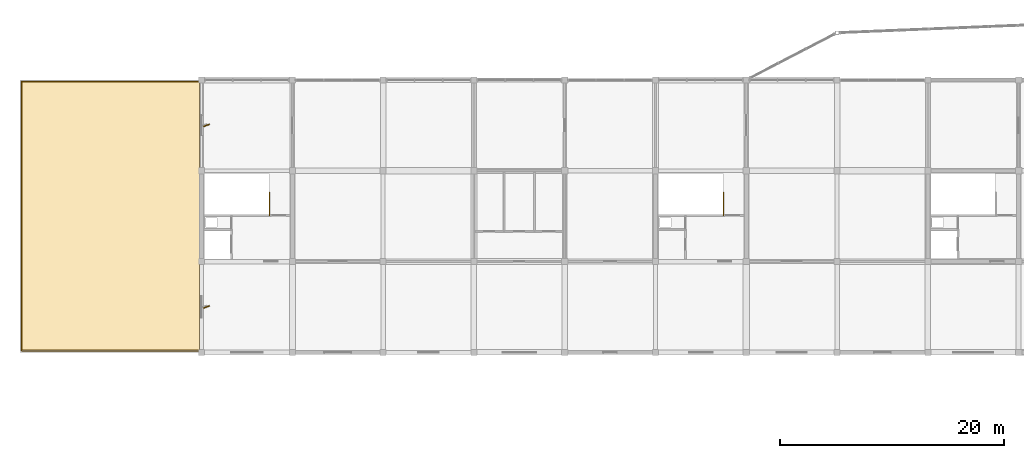
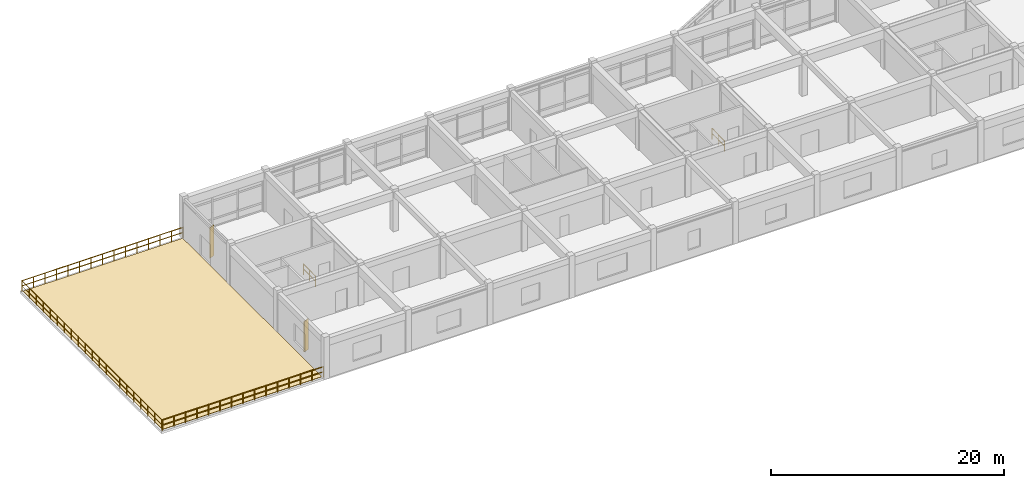
# One storey, part 37 of 40: 5 railings, 2 shading devices, 1 covering.
"""IFC4 building model written with IfcOpenShell, lengths in metres."""

import ifcopenshell
import ifcopenshell.guid

model = None  # the IFC model being written
_history = None  # IfcOwnerHistory: only IFC2X3 demands one
_inside = {}  # id of a spatial element -> (the spatial element, [elements in it])
_under = {}  # id of a project, library or spatial element -> (it, [spatial elements below it])
_declared = {}  # id of a project -> (the project, [libraries it declares])
_typed = {}  # id of a type object -> (the type object, [elements of that type])
_made_of = {}  # id of a material, layer set ... -> (it, [elements and type objects made of it])


def new_model(schema):
    """Start an empty IFC model of exactly this schema.

    Asked for "IFC4X3", IfcOpenShell would pick the latest addendum, in which some entities
    have other attributes; the version numbers below select the first issue.
    IFC2X3 requires an IfcOwnerHistory on every rooted entity: one is made here for all.
    """
    global model, _history
    if schema == "IFC4X3":
        model = ifcopenshell.file(schema_version=(4, 3, 0, 0))
    else:
        model = ifcopenshell.file(schema=schema)
    _inside.clear()
    _under.clear()
    _declared.clear()
    _typed.clear()
    _made_of.clear()
    _history = None
    if model.schema == "IFC2X3":
        org = make("IfcOrganization", Name="unknown")
        user = make(
            "IfcPersonAndOrganization",
            ThePerson=make("IfcPerson", FamilyName="unknown"),
            TheOrganization=org,
        )
        app = make(
            "IfcApplication",
            ApplicationDeveloper=org,
            Version="unknown",
            ApplicationFullName="unknown",
            ApplicationIdentifier="unknown",
        )
        _history = make(
            "IfcOwnerHistory",
            OwningUser=user,
            OwningApplication=app,
            ChangeAction="ADDED",
            CreationDate=0,
        )
    return model


def make(cls, **values):
    """One entity of the class cls with the attributes given. An attribute that is None is left unset."""
    return model.create_entity(
        cls, **{name: value for name, value in values.items() if value is not None}
    )


def rooted(cls, **values):
    """An entity with a GlobalId (a new one), such as an element, a storey or a relation."""
    return make(cls, GlobalId=ifcopenshell.guid.new(), OwnerHistory=_history, **values)


def si_unit(unit_type, name, prefix=None):
    """IfcSIUnit, for example si_unit("LENGTHUNIT", "METRE", prefix="MILLI")."""
    return make("IfcSIUnit", UnitType=unit_type, Prefix=prefix, Name=name)


def assignment(units):
    """IfcUnitAssignment: the units of a project."""
    return None if units is None else make("IfcUnitAssignment", Units=units)


def point(xyz):
    """IfcCartesianPoint."""
    return None if xyz is None else make("IfcCartesianPoint", Coordinates=xyz)


def direction(xyz):
    """IfcDirection."""
    return None if xyz is None else make("IfcDirection", DirectionRatios=xyz)


def frame(location, z_axis=None, x_axis=None):
    """IfcAxis2Placement3D, a coordinate frame: its origin and axes. An axis left out is left unset."""
    return make(
        "IfcAxis2Placement3D",
        Location=point(location),
        Axis=direction(z_axis),
        RefDirection=direction(x_axis),
    )


def frame_2d(location, x_axis=None):
    """IfcAxis2Placement2D, a coordinate frame in the plane: its origin and x axis."""
    return make(
        "IfcAxis2Placement2D", Location=point(location), RefDirection=direction(x_axis)
    )


def origin():
    """The frame at (0, 0, 0) with its axes left unset."""
    return frame((0.0, 0.0, 0.0))


def origin_2d():
    """The frame at (0, 0) in the plane with its x axis left unset."""
    return frame_2d((0.0, 0.0))


def place(relative_to, where):
    """IfcLocalPlacement: puts the frame where relative to a parent placement (None: the world)."""
    return make(
        "IfcLocalPlacement", PlacementRelTo=relative_to, RelativePlacement=where
    )


def context(
    kind, dimensions, precision=None, world=None, true_north=None, identifier=None
):
    """IfcGeometricRepresentationContext, for example the 3D "Model" context."""
    return make(
        "IfcGeometricRepresentationContext",
        ContextIdentifier=identifier,
        ContextType=kind,
        CoordinateSpaceDimension=dimensions,
        Precision=precision,
        WorldCoordinateSystem=world,
        TrueNorth=true_north,
    )


def subcontext(parent, identifier, kind, view, scale=None):
    """IfcGeometricRepresentationSubContext, for example "Body" below "Model"."""
    return make(
        "IfcGeometricRepresentationSubContext",
        ContextIdentifier=identifier,
        ContextType=kind,
        ParentContext=parent,
        TargetScale=scale,
        TargetView=view,
    )


def project(units=None, contexts=None):
    """IfcProject with its units and contexts."""
    return rooted(
        "IfcProject",
        Name="project",
        RepresentationContexts=contexts,
        UnitsInContext=assignment(units),
    )


def spatial(cls, under=None, at=None, **own):
    """A site, building, storey or space (cls), placed at a placement, below another one or the project."""
    s = rooted(cls, ObjectPlacement=at, **own)
    if under is not None:
        _under.setdefault(under.id(), (under, []))[1].append(s)
    return s


def polyline(points):
    """IfcPolyline through the points."""
    return make("IfcPolyline", Points=[point(p) for p in points])


def profile(cls, at=None, kind="AREA", **sizes):
    """A parametric profile (cls). Its sizes go by their IFC names, for example OverallWidth=200.0."""
    return make(cls, ProfileType=kind, Position=at, **sizes)


def rectangle(**sizes):
    """IfcRectangleProfileDef."""
    return profile("IfcRectangleProfileDef", **sizes)


def circle(**sizes):
    """IfcCircleProfileDef."""
    return profile("IfcCircleProfileDef", **sizes)


def outline(outer, holes=None, kind="AREA"):
    """IfcArbitraryClosedProfileDef: a profile drawn as a closed curve; with holes, ...WithVoids."""
    if holes is None:
        return make("IfcArbitraryClosedProfileDef", ProfileType=kind, OuterCurve=outer)
    return make(
        "IfcArbitraryProfileDefWithVoids",
        ProfileType=kind,
        OuterCurve=outer,
        InnerCurves=holes,
    )


def extrude(swept, where, along, depth):
    """IfcExtrudedAreaSolid: the profile swept, set in the frame where, extruded along a direction by depth."""
    return make(
        "IfcExtrudedAreaSolid",
        SweptArea=swept,
        Position=where,
        ExtrudedDirection=direction(along),
        Depth=depth,
    )


def shape(context_of_items, identifier, shape_type, items):
    """IfcShapeRepresentation: the items that make up one representation, for example the "Body"."""
    return make(
        "IfcShapeRepresentation",
        ContextOfItems=context_of_items,
        RepresentationIdentifier=identifier,
        RepresentationType=shape_type,
        Items=items,
    )


def material(Name=None, Category=None):
    """IfcMaterial."""
    return make("IfcMaterial", Name=Name, Category=Category)


def layer(
    of_material, thickness, ventilated=None, Name=None, Category=None, Priority=None
):
    """IfcMaterialLayer: one layer of a wall or slab, of a material (None: an air gap)."""
    return make(
        "IfcMaterialLayer",
        Material=of_material,
        LayerThickness=thickness,
        IsVentilated=ventilated,
        Name=Name,
        Category=Category,
        Priority=Priority,
    )


def layer_set(layers, Name=None):
    """IfcMaterialLayerSet."""
    return make("IfcMaterialLayerSet", MaterialLayers=layers, LayerSetName=Name)


def made_of(thing, what):
    """Note that an element or type object is made of a material, layer set ...; save() writes the relation."""
    if what is not None:
        _made_of.setdefault(what.id(), (what, []))[1].append(thing)
    return thing


def type_object(cls, material=None, **own):
    """A type object (cls), such as IfcWallType, which elements share."""
    return made_of(rooted(cls, **own), material)


def element(
    cls,
    number,
    at=None,
    inside=None,
    cuts=None,
    type_object=None,
    material=None,
    context=None,
    identifier="Body",
    shape_type=None,
    held_by="IfcProductDefinitionShape",
    body=None,
    shapes=None,
    **own,
):
    """One element of the class cls, such as IfcWall. Its Tag is "e" and its number.

    at: its placement. inside: the storey or other place that contains it. cuts: it is an
    opening in that element (IfcRelVoidsElement). A single representation is given by context,
    identifier, shape_type and body (its items); several are given by shapes. held_by: the class
    of the entity that holds the representations. save() writes the other relations.
    """
    e = rooted(cls, Tag="e%d" % number, ObjectPlacement=at, **own)
    if body is not None:
        shapes = [shape(context, identifier, shape_type, body)]
    if shapes is not None:
        e.Representation = make(held_by, Representations=shapes)
    if inside is not None:
        _inside.setdefault(inside.id(), (inside, []))[1].append(e)
    if cuts is not None:
        rooted(
            "IfcRelVoidsElement", RelatingBuildingElement=cuts, RelatedOpeningElement=e
        )
    if type_object is not None:
        _typed.setdefault(type_object.id(), (type_object, []))[1].append(e)
    return made_of(e, material)


def aggregate(whole, parts):
    """IfcRelAggregates: a whole, such as a stair, and the parts it consists of."""
    return rooted("IfcRelAggregates", RelatingObject=whole, RelatedObjects=parts)


def save(model, path):
    """Write the relations noted so far, then the file.

    IfcRelAggregates (storeys below a building ...), IfcRelContainedInSpatialStructure (elements
    in a storey), IfcRelDefinesByType, IfcRelAssociatesMaterial and IfcRelDeclares: one each for
    every whole, place, type object, material and project.
    """
    for whole, parts in _under.values():
        aggregate(whole, parts)
    for where, things in _inside.values():
        rooted(
            "IfcRelContainedInSpatialStructure",
            RelatedElements=things,
            RelatingStructure=where,
        )
    for kind, things in _typed.values():
        rooted("IfcRelDefinesByType", RelatedObjects=things, RelatingType=kind)
    for what, things in _made_of.values():
        rooted("IfcRelAssociatesMaterial", RelatedObjects=things, RelatingMaterial=what)
    for by, libraries in _declared.values():
        rooted("IfcRelDeclares", RelatingContext=by, RelatedDefinitions=libraries)
    model.write(path)


model = new_model("IFC4")

# Units and contexts
model_context = context("Model", 3, precision=1e-05, world=origin(), true_north=direction((0.0, 1.0)))
body_context = subcontext(model_context, "Body", "Model", "MODEL_VIEW")
ifc_project = project(units=[si_unit("LENGTHUNIT", "METRE"), si_unit("AREAUNIT", "SQUARE_METRE"), si_unit("VOLUMEUNIT", "CUBIC_METRE"), si_unit("PLANEANGLEUNIT", "RADIAN"), si_unit("MASSUNIT", "GRAM", prefix="KILO")], contexts=[model_context])

# Site, building, storey
site_placement = place(None, origin())
site = spatial("IfcSite", under=ifc_project, at=site_placement, CompositionType="ELEMENT")
building_placement = place(site_placement, origin())
building = spatial("IfcBuilding", under=site, at=building_placement, Name="Vaudrelin Polytechnic", CompositionType="ELEMENT")
storey_placement = place(building_placement, frame((0.0, 0.0, 22.949951171875)))
storey = spatial("IfcBuildingStorey", under=building, at=storey_placement, Name="L05", CompositionType="ELEMENT", Elevation=22.949951171875)

# Railings
ifc_material_1 = material(Name="Stainless steel AISI 316L", Category="steel")
railing_type_1 = type_object("IfcRailingType", Name="ENV-GR-TER", PredefinedType="GUARDRAIL", material=ifc_material_1)
railing_1_placement = place(storey_placement, frame((0.1201171875, 121.3798828125, 0.0)))
element("IfcRailing", 1, at=railing_1_placement, inside=storey, type_object=railing_type_1, Name="Terrace guardrail GRD-T5-N", PredefinedType="GUARDRAIL", context=body_context, shape_type="SweptSolid", body=[
    extrude(circle(Radius=0.02392578125, at=origin_2d()), frame((0.023193359375, 0.0, 1.09619140625), z_axis=(1.0, 0.0, 0.0), x_axis=(0.0, 1.0, 0.0)), (0.0, 0.0, 1.0), 15.913818359375),
    extrude(circle(Radius=0.02392578125, at=origin_2d()), frame((0.023193359375, 0.0, 0.56005859375), z_axis=(1.0, 0.0, 0.0), x_axis=(0.0, 1.0, 0.0)), (0.0, 0.0, 1.0), 15.913818359375),
    extrude(circle(Radius=0.02099609375, at=origin_2d()), origin(), (0.0, 0.0, 1.0), 1.1201171875),
    extrude(circle(Radius=0.02099609375, at=origin_2d()), frame((1.139892578125, 0.0, 0.0)), (0.0, 0.0, 1.0), 1.1201171875),
    extrude(circle(Radius=0.02099609375, at=origin_2d()), frame((2.280029296875, 0.0, 0.0)), (0.0, 0.0, 1.0), 1.1201171875),
    extrude(circle(Radius=0.02099609375, at=origin_2d()), frame((3.419921875, 0.0, 0.0)), (0.0, 0.0, 1.0), 1.1201171875),
    extrude(circle(Radius=0.02099609375, at=origin_2d()), frame((4.56005859375, 0.0, 0.0)), (0.0, 0.0, 1.0), 1.1201171875),
    extrude(circle(Radius=0.02099609375, at=origin_2d()), frame((5.699951171875, 0.0, 0.0)), (0.0, 0.0, 1.0), 1.1201171875),
    extrude(circle(Radius=0.02099609375, at=origin_2d()), frame((6.840087890625, 0.0, 0.0)), (0.0, 0.0, 1.0), 1.1201171875),
    extrude(circle(Radius=0.02099609375, at=origin_2d()), frame((7.97998046875, 0.0, 0.0)), (0.0, 0.0, 1.0), 1.1201171875),
    extrude(circle(Radius=0.02099609375, at=origin_2d()), frame((9.119873046875, 0.0, 0.0)), (0.0, 0.0, 1.0), 1.1201171875),
    extrude(circle(Radius=0.02099609375, at=origin_2d()), frame((10.260009765625, 0.0, 0.0)), (0.0, 0.0, 1.0), 1.1201171875),
    extrude(circle(Radius=0.02099609375, at=origin_2d()), frame((11.39990234375, 0.0, 0.0)), (0.0, 0.0, 1.0), 1.1201171875),
    extrude(circle(Radius=0.02099609375, at=origin_2d()), frame((12.5400390625, 0.0, 0.0)), (0.0, 0.0, 1.0), 1.1201171875),
    extrude(circle(Radius=0.02099609375, at=origin_2d()), frame((13.679931640625, 0.0, 0.0)), (0.0, 0.0, 1.0), 1.1201171875),
    extrude(circle(Radius=0.02099609375, at=origin_2d()), frame((14.820068359375, 0.0, 0.0)), (0.0, 0.0, 1.0), 1.1201171875),
    extrude(circle(Radius=0.02099609375, at=origin_2d()), frame((15.9599609375, 0.0, 0.0)), (0.0, 0.0, 1.0), 1.1201171875),
])
railing_2_placement = place(storey_placement, frame((0.1201171875, 97.360107421875, 0.0)))
element("IfcRailing", 2, at=railing_2_placement, inside=storey, type_object=railing_type_1, Name="Terrace guardrail GRD-T5-W", PredefinedType="GUARDRAIL", context=body_context, shape_type="SweptSolid", body=[
    extrude(circle(Radius=0.02392578125, at=origin_2d()), frame((0.0, 0.023193359375, 1.09619140625), z_axis=(0.0, 1.0, 0.0), x_axis=(-1.0, 0.0, 0.0)), (0.0, 0.0, 1.0), 23.933837890625),
    extrude(circle(Radius=0.02392578125, at=origin_2d()), frame((0.0, 0.023193359375, 0.56005859375), z_axis=(0.0, 1.0, 0.0), x_axis=(-1.0, 0.0, 0.0)), (0.0, 0.0, 1.0), 23.933837890625),
    extrude(circle(Radius=0.02099609375, at=origin_2d()), origin(), (0.0, 0.0, 1.0), 1.1201171875),
    extrude(circle(Radius=0.02099609375, at=origin_2d()), frame((0.0, 1.198974609375, 0.0)), (0.0, 0.0, 1.0), 1.1201171875),
    extrude(circle(Radius=0.02099609375, at=origin_2d()), frame((0.0, 2.39794921875, 0.0)), (0.0, 0.0, 1.0), 1.1201171875),
    extrude(circle(Radius=0.02099609375, at=origin_2d()), frame((0.0, 3.596923828125, 0.0)), (0.0, 0.0, 1.0), 1.1201171875),
    extrude(circle(Radius=0.02099609375, at=origin_2d()), frame((0.0, 4.7958984375, 0.0)), (0.0, 0.0, 1.0), 1.1201171875),
    extrude(circle(Radius=0.02099609375, at=origin_2d()), frame((0.0, 5.9951171875, 0.0)), (0.0, 0.0, 1.0), 1.1201171875),
    extrude(circle(Radius=0.02099609375, at=origin_2d()), frame((0.0, 7.194091796875, 0.0)), (0.0, 0.0, 1.0), 1.1201171875),
    extrude(circle(Radius=0.02099609375, at=origin_2d()), frame((0.0, 8.39306640625, 0.0)), (0.0, 0.0, 1.0), 1.1201171875),
    extrude(circle(Radius=0.02099609375, at=origin_2d()), frame((0.0, 9.592041015625, 0.0)), (0.0, 0.0, 1.0), 1.1201171875),
    extrude(circle(Radius=0.02099609375, at=origin_2d()), frame((0.0, 10.791015625, 0.0)), (0.0, 0.0, 1.0), 1.1201171875),
    extrude(circle(Radius=0.02099609375, at=origin_2d()), frame((0.0, 11.989990234375, 0.0)), (0.0, 0.0, 1.0), 1.1201171875),
    extrude(circle(Radius=0.02099609375, at=origin_2d()), frame((0.0, 13.18896484375, 0.0)), (0.0, 0.0, 1.0), 1.1201171875),
    extrude(circle(Radius=0.02099609375, at=origin_2d()), frame((0.0, 14.387939453125, 0.0)), (0.0, 0.0, 1.0), 1.1201171875),
    extrude(circle(Radius=0.02099609375, at=origin_2d()), frame((0.0, 15.5869140625, 0.0)), (0.0, 0.0, 1.0), 1.1201171875),
    extrude(circle(Radius=0.02099609375, at=origin_2d()), frame((0.0, 16.785888671875, 0.0)), (0.0, 0.0, 1.0), 1.1201171875),
    extrude(circle(Radius=0.02099609375, at=origin_2d()), frame((0.0, 17.98486328125, 0.0)), (0.0, 0.0, 1.0), 1.1201171875),
    extrude(circle(Radius=0.02099609375, at=origin_2d()), frame((0.0, 19.18408203125, 0.0)), (0.0, 0.0, 1.0), 1.1201171875),
    extrude(circle(Radius=0.02099609375, at=origin_2d()), frame((0.0, 20.383056640625, 0.0)), (0.0, 0.0, 1.0), 1.1201171875),
    extrude(circle(Radius=0.02099609375, at=origin_2d()), frame((0.0, 21.58203125, 0.0)), (0.0, 0.0, 1.0), 1.1201171875),
    extrude(circle(Radius=0.02099609375, at=origin_2d()), frame((0.0, 22.781005859375, 0.0)), (0.0, 0.0, 1.0), 1.1201171875),
    extrude(circle(Radius=0.02099609375, at=origin_2d()), frame((0.0, 23.97998046875, 0.0)), (0.0, 0.0, 1.0), 1.1201171875),
])
railing_3_placement = place(storey_placement, frame((0.159912109375, 97.320068359375, 0.0)))
element("IfcRailing", 3, at=railing_3_placement, inside=storey, type_object=railing_type_1, Name="Terrace guardrail GRD-T5-S", PredefinedType="GUARDRAIL", context=body_context, shape_type="SweptSolid", body=[
    extrude(circle(Radius=0.02392578125, at=origin_2d()), frame((0.023193359375, 0.0, 1.09619140625), z_axis=(1.0, 0.0, 0.0), x_axis=(0.0, 1.0, 0.0)), (0.0, 0.0, 1.0), 15.8740234375),
    extrude(circle(Radius=0.02392578125, at=origin_2d()), frame((0.023193359375, 0.0, 0.56005859375), z_axis=(1.0, 0.0, 0.0), x_axis=(0.0, 1.0, 0.0)), (0.0, 0.0, 1.0), 15.8740234375),
    extrude(circle(Radius=0.02099609375, at=origin_2d()), origin(), (0.0, 0.0, 1.0), 1.1201171875),
    extrude(circle(Radius=0.02099609375, at=origin_2d()), frame((1.13720703125, 0.0, 0.0)), (0.0, 0.0, 1.0), 1.1201171875),
    extrude(circle(Radius=0.02099609375, at=origin_2d()), frame((2.2744140625, 0.0, 0.0)), (0.0, 0.0, 1.0), 1.1201171875),
    extrude(circle(Radius=0.02099609375, at=origin_2d()), frame((3.411376953125, 0.0, 0.0)), (0.0, 0.0, 1.0), 1.1201171875),
    extrude(circle(Radius=0.02099609375, at=origin_2d()), frame((4.548583984375, 0.0, 0.0)), (0.0, 0.0, 1.0), 1.1201171875),
    extrude(circle(Radius=0.02099609375, at=origin_2d()), frame((5.685791015625, 0.0, 0.0)), (0.0, 0.0, 1.0), 1.1201171875),
    extrude(circle(Radius=0.02099609375, at=origin_2d()), frame((6.822998046875, 0.0, 0.0)), (0.0, 0.0, 1.0), 1.1201171875),
    extrude(circle(Radius=0.02099609375, at=origin_2d()), frame((7.9599609375, 0.0, 0.0)), (0.0, 0.0, 1.0), 1.1201171875),
    extrude(circle(Radius=0.02099609375, at=origin_2d()), frame((9.09716796875, 0.0, 0.0)), (0.0, 0.0, 1.0), 1.1201171875),
    extrude(circle(Radius=0.02099609375, at=origin_2d()), frame((10.234375, 0.0, 0.0)), (0.0, 0.0, 1.0), 1.1201171875),
    extrude(circle(Radius=0.02099609375, at=origin_2d()), frame((11.37158203125, 0.0, 0.0)), (0.0, 0.0, 1.0), 1.1201171875),
    extrude(circle(Radius=0.02099609375, at=origin_2d()), frame((12.5087890625, 0.0, 0.0)), (0.0, 0.0, 1.0), 1.1201171875),
    extrude(circle(Radius=0.02099609375, at=origin_2d()), frame((13.645751953125, 0.0, 0.0)), (0.0, 0.0, 1.0), 1.1201171875),
    extrude(circle(Radius=0.02099609375, at=origin_2d()), frame((14.782958984375, 0.0, 0.0)), (0.0, 0.0, 1.0), 1.1201171875),
    extrude(circle(Radius=0.02099609375, at=origin_2d()), frame((15.920166015625, 0.0, 0.0)), (0.0, 0.0, 1.0), 1.1201171875),
])

# Covering
ifc_material_2 = material(Name="SBS-modified bitumen snow-rated membrane", Category="membrane")
ifc_layer = layer(ifc_material_2, 0.034912109375)
ifc_layer_set = layer_set([ifc_layer], Name="SBS-modified bitumen snow-rated membrane")
covering_type = type_object("IfcCoveringType", Name="ENV-RFG-MEM", PredefinedType="ROOFING", material=ifc_layer_set)
covering_placement = place(storey_placement, origin())
element("IfcCovering", 4, at=covering_placement, inside=storey, type_object=covering_type, Name="Terrace SBS membrane zone RFG-06", PredefinedType="ROOFING", context=body_context, shape_type="SweptSolid", body=[
    extrude(outline(polyline([(0.199951171875, 97.39990234375), (16.0, 97.39990234375), (16.0, 121.300048828125), (0.199951171875, 121.300048828125), (0.199951171875, 97.39990234375)])), origin(), (0.0, 0.0, 1.0), 0.03515625),
])

# Shading devices
ifc_material_3 = material(Name="Anodised perforated aluminium AA 5005", Category="aluminium")
shading_device_type = type_object("IfcShadingDeviceType", Name="ENV-SF-FIN1", PredefinedType="USERDEFINED", material=ifc_material_3)
for number, where, z_axis, x_axis, name in (
    (5, (16.639892578125, 101.25, 0.2001953125), (0.0, 0.0, 1.0), (0.927183854567, 0.374606593416, 0.0), "Perforated solar fin SF-038"),
    (6, (16.639892578125, 117.449951171875, 0.2001953125), (0.0, 0.0, 1.0), (0.927183854567, 0.374606593416, 0.0), "Perforated solar fin SF-039"),
):
    element("IfcShadingDevice", number, at=place(storey_placement, frame(where, z_axis=z_axis, x_axis=x_axis)), inside=storey, type_object=shading_device_type, Name=name, ObjectType="SOLAR FIN", PredefinedType="USERDEFINED", context=body_context, shape_type="SweptSolid", body=[
        extrude(rectangle(XDim=0.550048828125, YDim=0.080078125, at=origin_2d()), origin(), (0.0, 0.0, 1.0), 3.199951171875),
    ])

# Railings
ifc_material_4 = material(Name="Brushed stainless steel AISI 304", Category="steel")
railing_type_2 = type_object("IfcRailingType", Name="RAL-GR-INT", PredefinedType="GUARDRAIL", material=ifc_material_4)
for number, where, name in (
    (7, (22.280029296875, 109.409912109375, 0.0), "ST-01-L04 upper well guardrail"),
    (8, (62.780029296875, 109.409912109375, 0.0), "ST-09-L04 upper well guardrail"),
):
    element("IfcRailing", number, at=place(storey_placement, frame(where)), inside=storey, type_object=railing_type_2, Name=name, PredefinedType="GUARDRAIL", context=body_context, shape_type="SweptSolid", body=[
        extrude(circle(Radius=0.02392578125, at=origin_2d()), frame((0.0, 0.023193359375, 1.09619140625), z_axis=(0.0, 1.0, 0.0), x_axis=(-1.0, 0.0, 0.0)), (0.0, 0.0, 1.0), 2.02392578125),
        extrude(circle(Radius=0.02392578125, at=origin_2d()), frame((0.0, 0.023193359375, 0.56005859375), z_axis=(0.0, 1.0, 0.0), x_axis=(-1.0, 0.0, 0.0)), (0.0, 0.0, 1.0), 2.02392578125),
        extrude(circle(Radius=0.02099609375, at=origin_2d()), origin(), (0.0, 0.0, 1.0), 1.1201171875),
        extrude(circle(Radius=0.02099609375, at=origin_2d()), frame((0.0, 1.03515625, 0.0)), (0.0, 0.0, 1.0), 1.1201171875),
        extrude(circle(Radius=0.02099609375, at=origin_2d()), frame((0.0, 2.070068359375, 0.0)), (0.0, 0.0, 1.0), 1.1201171875),
    ])

save(model, "model.ifc")
